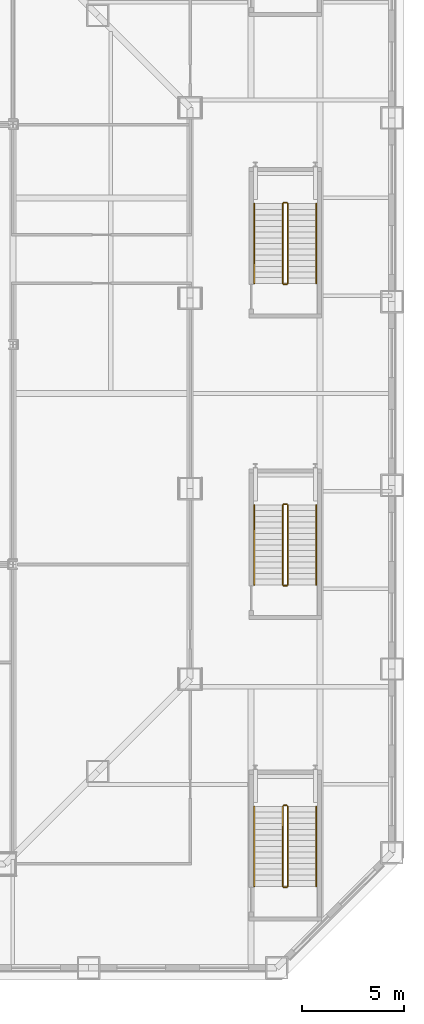
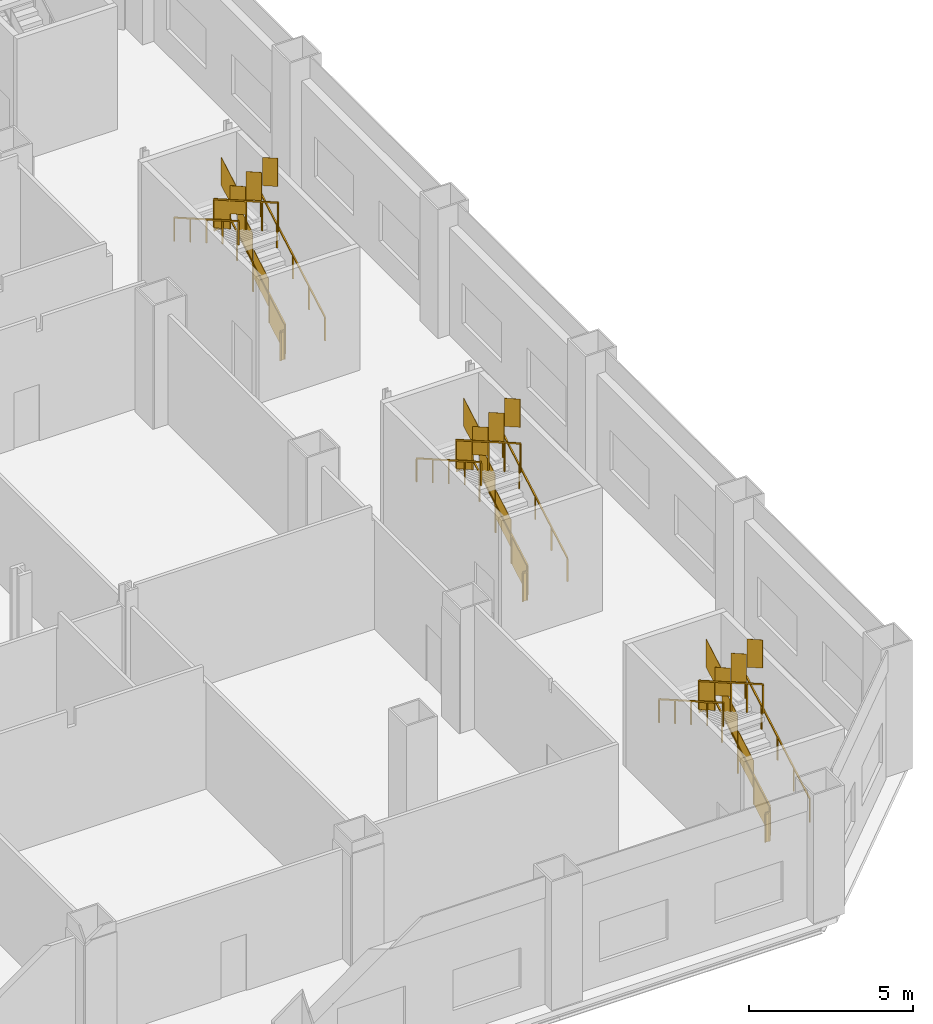
# One storey, part 24 of 25: 18 railings.
"""IFC4 building model written with IfcOpenShell, lengths in metres."""

from ifc_helpers import new_model, si_unit, direction, frame, origin, origin_2d, place, context, subcontext, project, spatial, polyline, rectangle, outline, extrude, material, type_object, element, save


model = new_model("IFC4")

# Units and contexts
model_context = context("Model", 3, precision=1e-05, world=origin(), true_north=direction((0.0, 1.0)))
body_context = subcontext(model_context, "Body", "Model", "MODEL_VIEW")
ifc_project = project(units=[si_unit("LENGTHUNIT", "METRE"), si_unit("AREAUNIT", "SQUARE_METRE"), si_unit("VOLUMEUNIT", "CUBIC_METRE"), si_unit("PLANEANGLEUNIT", "RADIAN"), si_unit("MASSUNIT", "GRAM", prefix="KILO")], contexts=[model_context])

# Site, building, storey
site_placement = place(None, origin())
site = spatial("IfcSite", under=ifc_project, at=site_placement, CompositionType="ELEMENT")
building_placement = place(site_placement, origin())
building = spatial("IfcBuilding", under=site, at=building_placement, Name="Cairn Pilgrim Tower", CompositionType="ELEMENT")
storey_placement = place(building_placement, frame((0.0, 0.0, 30.60009765625)))
storey = spatial("IfcBuildingStorey", under=building, at=storey_placement, Name="L05", CompositionType="ELEMENT", Elevation=30.60009765625)

# Railings
ifc_material = material(Name="Painted steel", Category="steel")
railing_type_1 = type_object("IfcRailingType", Name="PODIUM STAIR GUARD 1100", PredefinedType="GUARDRAIL", material=ifc_material)
railing_1_placement = place(storey_placement, frame((32.699951171875, -24.199951171875, 0.159912109375)))
element("IfcRailing", 1, at=railing_1_placement, inside=storey, type_object=railing_type_1, Name="L05 ST-ES1 stair guard 1", PredefinedType="GUARDRAIL", context=body_context, shape_type="SweptSolid", body=[
    extrude(rectangle(XDim=0.048095703125, YDim=0.048095703125, at=origin_2d()), frame((0.0, 0.0, 1.076171875), z_axis=(0.0, 0.868239814368, 0.496144761885), x_axis=(-1.0, 0.0, 0.0)), (0.0, 0.0, 1.0), 4.514892578125),
    extrude(rectangle(XDim=0.0419921875, YDim=0.0419921875, at=origin_2d()), origin(), (0.0, 0.0, 1.0), 1.052001953125),
    extrude(rectangle(XDim=0.0419921875, YDim=0.0419921875, at=origin_2d()), frame((0.0, 0.97998046875, 0.56005859375)), (0.0, 0.0, 1.0), 1.052001953125),
    extrude(rectangle(XDim=0.0419921875, YDim=0.0419921875, at=origin_2d()), frame((0.0, 1.9599609375, 1.1201171875)), (0.0, 0.0, 1.0), 1.052001953125),
    extrude(rectangle(XDim=0.0419921875, YDim=0.0419921875, at=origin_2d()), frame((0.0, 2.93994140625, 1.679931640625)), (0.0, 0.0, 1.0), 1.052001953125),
    extrude(rectangle(XDim=0.0419921875, YDim=0.0419921875, at=origin_2d()), frame((0.0, 3.919921875, 2.239990234375)), (0.0, 0.0, 1.0), 1.052001953125),
    extrude(outline(polyline([(0.02099609375, 0.011962890625), (0.958984375, 0.548095703125), (0.958984375, 1.60009765625), (0.02099609375, 1.06396484375), (0.02099609375, 0.011962890625)])), frame((-0.005859375, 0.0, 0.0), z_axis=(1.0, 0.0, 0.0), x_axis=(0.0, 1.0, 0.0)), (0.0, 0.0, 1.0), 0.011962890625),
    extrude(outline(polyline([(0.02099609375, 0.572021484375), (0.958984375, 1.10791015625), (0.958984375, 2.159912109375), (0.02099609375, 1.6240234375), (0.02099609375, 0.572021484375)])), frame((-0.005859375, 0.97998046875, 0.56005859375), z_axis=(1.0, 0.0, 0.0), x_axis=(0.0, 1.0, 0.0)), (0.0, 0.0, 1.0), 0.011962890625),
    extrude(outline(polyline([(0.02099609375, 1.132080078125), (0.958984375, 1.66796875), (0.958984375, 2.719970703125), (0.02099609375, 2.18408203125), (0.02099609375, 1.132080078125)])), frame((-0.005859375, 1.9599609375, 1.1201171875), z_axis=(1.0, 0.0, 0.0), x_axis=(0.0, 1.0, 0.0)), (0.0, 0.0, 1.0), 0.011962890625),
    extrude(outline(polyline([(0.02099609375, 1.69189453125), (0.958984375, 2.22802734375), (0.958984375, 3.280029296875), (0.02099609375, 2.743896484375), (0.02099609375, 1.69189453125)])), frame((-0.005859375, 2.93994140625, 1.679931640625), z_axis=(1.0, 0.0, 0.0), x_axis=(0.0, 1.0, 0.0)), (0.0, 0.0, 1.0), 0.011962890625),
])
railing_2_placement = place(storey_placement, frame((32.64990234375, -20.22998046875, 2.39990234375)))
element("IfcRailing", 2, at=railing_2_placement, inside=storey, type_object=railing_type_1, Name="L05 ST-ES1 stair guard 2", PredefinedType="GUARDRAIL", context=body_context, shape_type="SweptSolid", body=[
    extrude(rectangle(XDim=0.048095703125, YDim=0.048095703125, at=origin_2d()), frame((0.0, 0.0, 1.076171875), z_axis=(-1.0, 0.0, 0.0), x_axis=(0.0, -1.0, 0.0)), (0.0, 0.0, 1.0), 0.14990234375),
    extrude(rectangle(XDim=0.0419921875, YDim=0.0419921875, at=origin_2d()), origin(), (0.0, 0.0, 1.0), 1.052001953125),
    extrude(rectangle(XDim=0.0419921875, YDim=0.0419921875, at=origin_2d()), frame((-0.14990234375, 0.0, 0.0)), (0.0, 0.0, 1.0), 1.052001953125),
    extrude(outline(polyline([(0.02099609375, 0.0), (0.12890625, 0.0), (0.12890625, 1.052001953125), (0.02099609375, 1.052001953125), (0.02099609375, 0.0)])), frame((0.0, -0.005859375, 0.0), z_axis=(0.0, 1.0, 0.0), x_axis=(-1.0, 0.0, 0.0)), (0.0, 0.0, 1.0), 0.011962890625),
])
railing_3_placement = place(storey_placement, frame((32.449951171875, -20.280029296875, 2.559814453125)))
element("IfcRailing", 3, at=railing_3_placement, inside=storey, type_object=railing_type_1, Name="L05 ST-ES1 stair guard 3", PredefinedType="GUARDRAIL", context=body_context, shape_type="SweptSolid", body=[
    extrude(rectangle(XDim=0.048095703125, YDim=0.048095703125, at=origin_2d()), frame((0.0, 0.0, 1.076171875), z_axis=(0.0, -0.868239814368, 0.496144761885), x_axis=(1.0, 0.0, 0.0)), (0.0, 0.0, 1.0), 4.514892578125),
    extrude(rectangle(XDim=0.0419921875, YDim=0.0419921875, at=origin_2d()), origin(), (0.0, 0.0, 1.0), 1.052001953125),
    extrude(rectangle(XDim=0.0419921875, YDim=0.0419921875, at=origin_2d()), frame((0.0, -0.97998046875, 0.56005859375)), (0.0, 0.0, 1.0), 1.052001953125),
    extrude(rectangle(XDim=0.0419921875, YDim=0.0419921875, at=origin_2d()), frame((0.0, -1.9599609375, 1.1201171875)), (0.0, 0.0, 1.0), 1.052001953125),
    extrude(rectangle(XDim=0.0419921875, YDim=0.0419921875, at=origin_2d()), frame((0.0, -2.93994140625, 1.679931640625)), (0.0, 0.0, 1.0), 1.052001953125),
    extrude(rectangle(XDim=0.0419921875, YDim=0.0419921875, at=origin_2d()), frame((0.0, -3.919921875, 2.239990234375)), (0.0, 0.0, 1.0), 1.052001953125),
    extrude(outline(polyline([(0.02099609375, 0.011962890625), (0.958984375, 0.548095703125), (0.958984375, 1.60009765625), (0.02099609375, 1.06396484375), (0.02099609375, 0.011962890625)])), frame((0.005859375, 0.0, 0.0), z_axis=(-1.0, 0.0, 0.0), x_axis=(0.0, -1.0, 0.0)), (0.0, 0.0, 1.0), 0.011962890625),
    extrude(outline(polyline([(0.02099609375, 0.572021484375), (0.958984375, 1.10791015625), (0.958984375, 2.159912109375), (0.02099609375, 1.6240234375), (0.02099609375, 0.572021484375)])), frame((0.005859375, -0.97998046875, 0.56005859375), z_axis=(-1.0, 0.0, 0.0), x_axis=(0.0, -1.0, 0.0)), (0.0, 0.0, 1.0), 0.011962890625),
    extrude(outline(polyline([(0.02099609375, 1.132080078125), (0.958984375, 1.66796875), (0.958984375, 2.719970703125), (0.02099609375, 2.18408203125), (0.02099609375, 1.132080078125)])), frame((0.005859375, -1.9599609375, 1.1201171875), z_axis=(-1.0, 0.0, 0.0), x_axis=(0.0, -1.0, 0.0)), (0.0, 0.0, 1.0), 0.011962890625),
    extrude(outline(polyline([(0.02099609375, 1.69189453125), (0.958984375, 2.22802734375), (0.958984375, 3.280029296875), (0.02099609375, 2.743896484375), (0.02099609375, 1.69189453125)])), frame((0.005859375, -2.93994140625, 1.679931640625), z_axis=(-1.0, 0.0, 0.0), x_axis=(0.0, -1.0, 0.0)), (0.0, 0.0, 1.0), 0.011962890625),
])
railing_4_placement = place(storey_placement, frame((32.64990234375, -24.25, 0.0)))
element("IfcRailing", 4, at=railing_4_placement, inside=storey, type_object=railing_type_1, Name="L05 ST-ES1 stair guard 4", PredefinedType="GUARDRAIL", context=body_context, shape_type="SweptSolid", body=[
    extrude(rectangle(XDim=0.048095703125, YDim=0.048095703125, at=origin_2d()), frame((0.0, 0.0, 1.076171875), z_axis=(-1.0, 0.0, 0.0), x_axis=(0.0, -1.0, 0.0)), (0.0, 0.0, 1.0), 0.14990234375),
    extrude(rectangle(XDim=0.0419921875, YDim=0.0419921875, at=origin_2d()), origin(), (0.0, 0.0, 1.0), 1.052001953125),
    extrude(rectangle(XDim=0.0419921875, YDim=0.0419921875, at=origin_2d()), frame((-0.14990234375, 0.0, 0.0)), (0.0, 0.0, 1.0), 1.052001953125),
    extrude(outline(polyline([(0.02099609375, 0.0), (0.12890625, 0.0), (0.12890625, 1.052001953125), (0.02099609375, 1.052001953125), (0.02099609375, 0.0)])), frame((0.0, -0.005859375, 0.0), z_axis=(0.0, 1.0, 0.0), x_axis=(-1.0, 0.0, 0.0)), (0.0, 0.0, 1.0), 0.011962890625),
])
railing_5_placement = place(storey_placement, frame((32.699951171875, -9.39990234375, 0.159912109375)))
element("IfcRailing", 5, at=railing_5_placement, inside=storey, type_object=railing_type_1, Name="L05 ST-ES2 stair guard 1", PredefinedType="GUARDRAIL", context=body_context, shape_type="SweptSolid", body=[
    extrude(rectangle(XDim=0.048095703125, YDim=0.048095703125, at=origin_2d()), frame((0.0, 0.0, 1.076171875), z_axis=(0.0, 0.868239814368, 0.496144761885), x_axis=(-1.0, 0.0, 0.0)), (0.0, 0.0, 1.0), 4.514892578125),
    extrude(rectangle(XDim=0.0419921875, YDim=0.0419921875, at=origin_2d()), origin(), (0.0, 0.0, 1.0), 1.052001953125),
    extrude(rectangle(XDim=0.0419921875, YDim=0.0419921875, at=origin_2d()), frame((0.0, 0.97998046875, 0.56005859375)), (0.0, 0.0, 1.0), 1.052001953125),
    extrude(rectangle(XDim=0.0419921875, YDim=0.0419921875, at=origin_2d()), frame((0.0, 1.9599609375, 1.1201171875)), (0.0, 0.0, 1.0), 1.052001953125),
    extrude(rectangle(XDim=0.0419921875, YDim=0.0419921875, at=origin_2d()), frame((0.0, 2.93994140625, 1.679931640625)), (0.0, 0.0, 1.0), 1.052001953125),
    extrude(rectangle(XDim=0.0419921875, YDim=0.0419921875, at=origin_2d()), frame((0.0, 3.919921875, 2.239990234375)), (0.0, 0.0, 1.0), 1.052001953125),
    extrude(outline(polyline([(0.02099609375, 0.011962890625), (0.958984375, 0.548095703125), (0.958984375, 1.60009765625), (0.02099609375, 1.06396484375), (0.02099609375, 0.011962890625)])), frame((-0.005859375, 0.0, 0.0), z_axis=(1.0, 0.0, 0.0), x_axis=(0.0, 1.0, 0.0)), (0.0, 0.0, 1.0), 0.011962890625),
    extrude(outline(polyline([(0.02099609375, 0.572021484375), (0.958984375, 1.10791015625), (0.958984375, 2.159912109375), (0.02099609375, 1.6240234375), (0.02099609375, 0.572021484375)])), frame((-0.005859375, 0.97998046875, 0.56005859375), z_axis=(1.0, 0.0, 0.0), x_axis=(0.0, 1.0, 0.0)), (0.0, 0.0, 1.0), 0.011962890625),
    extrude(outline(polyline([(0.02099609375, 1.132080078125), (0.958984375, 1.66796875), (0.958984375, 2.719970703125), (0.02099609375, 2.18408203125), (0.02099609375, 1.132080078125)])), frame((-0.005859375, 1.9599609375, 1.1201171875), z_axis=(1.0, 0.0, 0.0), x_axis=(0.0, 1.0, 0.0)), (0.0, 0.0, 1.0), 0.011962890625),
    extrude(outline(polyline([(0.02099609375, 1.69189453125), (0.958984375, 2.22802734375), (0.958984375, 3.280029296875), (0.02099609375, 2.743896484375), (0.02099609375, 1.69189453125)])), frame((-0.005859375, 2.93994140625, 1.679931640625), z_axis=(1.0, 0.0, 0.0), x_axis=(0.0, 1.0, 0.0)), (0.0, 0.0, 1.0), 0.011962890625),
])
railing_6_placement = place(storey_placement, frame((32.64990234375, -5.429931640625, 2.39990234375)))
element("IfcRailing", 6, at=railing_6_placement, inside=storey, type_object=railing_type_1, Name="L05 ST-ES2 stair guard 2", PredefinedType="GUARDRAIL", context=body_context, shape_type="SweptSolid", body=[
    extrude(rectangle(XDim=0.048095703125, YDim=0.048095703125, at=origin_2d()), frame((0.0, 0.0, 1.076171875), z_axis=(-1.0, 0.0, 0.0), x_axis=(0.0, -1.0, 0.0)), (0.0, 0.0, 1.0), 0.14990234375),
    extrude(rectangle(XDim=0.0419921875, YDim=0.0419921875, at=origin_2d()), origin(), (0.0, 0.0, 1.0), 1.052001953125),
    extrude(rectangle(XDim=0.0419921875, YDim=0.0419921875, at=origin_2d()), frame((-0.14990234375, 0.0, 0.0)), (0.0, 0.0, 1.0), 1.052001953125),
    extrude(outline(polyline([(0.02099609375, 0.0), (0.12890625, 0.0), (0.12890625, 1.052001953125), (0.02099609375, 1.052001953125), (0.02099609375, 0.0)])), frame((0.0, -0.005859375, 0.0), z_axis=(0.0, 1.0, 0.0), x_axis=(-1.0, 0.0, 0.0)), (0.0, 0.0, 1.0), 0.011962890625),
])
railing_7_placement = place(storey_placement, frame((32.449951171875, -5.47998046875, 2.559814453125)))
element("IfcRailing", 7, at=railing_7_placement, inside=storey, type_object=railing_type_1, Name="L05 ST-ES2 stair guard 3", PredefinedType="GUARDRAIL", context=body_context, shape_type="SweptSolid", body=[
    extrude(rectangle(XDim=0.048095703125, YDim=0.048095703125, at=origin_2d()), frame((0.0, 0.0, 1.076171875), z_axis=(0.0, -0.868239814368, 0.496144761885), x_axis=(1.0, 0.0, 0.0)), (0.0, 0.0, 1.0), 4.514892578125),
    extrude(rectangle(XDim=0.0419921875, YDim=0.0419921875, at=origin_2d()), origin(), (0.0, 0.0, 1.0), 1.052001953125),
    extrude(rectangle(XDim=0.0419921875, YDim=0.0419921875, at=origin_2d()), frame((0.0, -0.97998046875, 0.56005859375)), (0.0, 0.0, 1.0), 1.052001953125),
    extrude(rectangle(XDim=0.0419921875, YDim=0.0419921875, at=origin_2d()), frame((0.0, -1.9599609375, 1.1201171875)), (0.0, 0.0, 1.0), 1.052001953125),
    extrude(rectangle(XDim=0.0419921875, YDim=0.0419921875, at=origin_2d()), frame((0.0, -2.93994140625, 1.679931640625)), (0.0, 0.0, 1.0), 1.052001953125),
    extrude(rectangle(XDim=0.0419921875, YDim=0.0419921875, at=origin_2d()), frame((0.0, -3.919921875, 2.239990234375)), (0.0, 0.0, 1.0), 1.052001953125),
    extrude(outline(polyline([(0.02099609375, 0.011962890625), (0.958984375, 0.548095703125), (0.958984375, 1.60009765625), (0.02099609375, 1.06396484375), (0.02099609375, 0.011962890625)])), frame((0.005859375, 0.0, 0.0), z_axis=(-1.0, 0.0, 0.0), x_axis=(0.0, -1.0, 0.0)), (0.0, 0.0, 1.0), 0.011962890625),
    extrude(outline(polyline([(0.02099609375, 0.572021484375), (0.958984375, 1.10791015625), (0.958984375, 2.159912109375), (0.02099609375, 1.6240234375), (0.02099609375, 0.572021484375)])), frame((0.005859375, -0.97998046875, 0.56005859375), z_axis=(-1.0, 0.0, 0.0), x_axis=(0.0, -1.0, 0.0)), (0.0, 0.0, 1.0), 0.011962890625),
    extrude(outline(polyline([(0.02099609375, 1.132080078125), (0.958984375, 1.66796875), (0.958984375, 2.719970703125), (0.02099609375, 2.18408203125), (0.02099609375, 1.132080078125)])), frame((0.005859375, -1.9599609375, 1.1201171875), z_axis=(-1.0, 0.0, 0.0), x_axis=(0.0, -1.0, 0.0)), (0.0, 0.0, 1.0), 0.011962890625),
    extrude(outline(polyline([(0.02099609375, 1.69189453125), (0.958984375, 2.22802734375), (0.958984375, 3.280029296875), (0.02099609375, 2.743896484375), (0.02099609375, 1.69189453125)])), frame((0.005859375, -2.93994140625, 1.679931640625), z_axis=(-1.0, 0.0, 0.0), x_axis=(0.0, -1.0, 0.0)), (0.0, 0.0, 1.0), 0.011962890625),
])
railing_8_placement = place(storey_placement, frame((32.64990234375, -9.449951171875, 0.0)))
element("IfcRailing", 8, at=railing_8_placement, inside=storey, type_object=railing_type_1, Name="L05 ST-ES2 stair guard 4", PredefinedType="GUARDRAIL", context=body_context, shape_type="SweptSolid", body=[
    extrude(rectangle(XDim=0.048095703125, YDim=0.048095703125, at=origin_2d()), frame((0.0, 0.0, 1.076171875), z_axis=(-1.0, 0.0, 0.0), x_axis=(0.0, -1.0, 0.0)), (0.0, 0.0, 1.0), 0.14990234375),
    extrude(rectangle(XDim=0.0419921875, YDim=0.0419921875, at=origin_2d()), origin(), (0.0, 0.0, 1.0), 1.052001953125),
    extrude(rectangle(XDim=0.0419921875, YDim=0.0419921875, at=origin_2d()), frame((-0.14990234375, 0.0, 0.0)), (0.0, 0.0, 1.0), 1.052001953125),
    extrude(outline(polyline([(0.02099609375, 0.0), (0.12890625, 0.0), (0.12890625, 1.052001953125), (0.02099609375, 1.052001953125), (0.02099609375, 0.0)])), frame((0.0, -0.005859375, 0.0), z_axis=(0.0, 1.0, 0.0), x_axis=(-1.0, 0.0, 0.0)), (0.0, 0.0, 1.0), 0.011962890625),
])
railing_9_placement = place(storey_placement, frame((32.699951171875, 5.39990234375, 0.159912109375)))
element("IfcRailing", 9, at=railing_9_placement, inside=storey, type_object=railing_type_1, Name="L05 ST-ES3 stair guard 1", PredefinedType="GUARDRAIL", context=body_context, shape_type="SweptSolid", body=[
    extrude(rectangle(XDim=0.048095703125, YDim=0.048095703125, at=origin_2d()), frame((0.0, 0.0, 1.076171875), z_axis=(0.0, 0.86825312469, 0.496121468458), x_axis=(-1.0, 0.0, 0.0)), (0.0, 0.0, 1.0), 4.514892578125),
    extrude(rectangle(XDim=0.0419921875, YDim=0.0419921875, at=origin_2d()), origin(), (0.0, 0.0, 1.0), 1.052001953125),
    extrude(rectangle(XDim=0.0419921875, YDim=0.0419921875, at=origin_2d()), frame((0.0, 0.97998046875, 0.56005859375)), (0.0, 0.0, 1.0), 1.052001953125),
    extrude(rectangle(XDim=0.0419921875, YDim=0.0419921875, at=origin_2d()), frame((0.0, 1.9599609375, 1.1201171875)), (0.0, 0.0, 1.0), 1.052001953125),
    extrude(rectangle(XDim=0.0419921875, YDim=0.0419921875, at=origin_2d()), frame((0.0, 2.940185546875, 1.679931640625)), (0.0, 0.0, 1.0), 1.052001953125),
    extrude(rectangle(XDim=0.0419921875, YDim=0.0419921875, at=origin_2d()), frame((0.0, 3.920166015625, 2.239990234375)), (0.0, 0.0, 1.0), 1.052001953125),
    extrude(outline(polyline([(0.02099609375, 0.011962890625), (0.958984375, 0.548095703125), (0.958984375, 1.60009765625), (0.02099609375, 1.06396484375), (0.02099609375, 0.011962890625)])), frame((-0.005859375, 0.0, 0.0), z_axis=(1.0, 0.0, 0.0), x_axis=(0.0, 1.0, 0.0)), (0.0, 0.0, 1.0), 0.011962890625),
    extrude(outline(polyline([(0.02099609375, 0.572021484375), (0.958984375, 1.10791015625), (0.958984375, 2.159912109375), (0.02099609375, 1.6240234375), (0.02099609375, 0.572021484375)])), frame((-0.005859375, 0.97998046875, 0.56005859375), z_axis=(1.0, 0.0, 0.0), x_axis=(0.0, 1.0, 0.0)), (0.0, 0.0, 1.0), 0.011962890625),
    extrude(outline(polyline([(0.02099609375, 1.132080078125), (0.958984375, 1.66796875), (0.958984375, 2.719970703125), (0.02099609375, 2.18408203125), (0.02099609375, 1.132080078125)])), frame((-0.005859375, 1.9599609375, 1.1201171875), z_axis=(1.0, 0.0, 0.0), x_axis=(0.0, 1.0, 0.0)), (0.0, 0.0, 1.0), 0.011962890625),
    extrude(outline(polyline([(0.02099609375, 1.69189453125), (0.958984375, 2.22802734375), (0.958984375, 3.280029296875), (0.02099609375, 2.743896484375), (0.02099609375, 1.69189453125)])), frame((-0.005859375, 2.940185546875, 1.679931640625), z_axis=(1.0, 0.0, 0.0), x_axis=(0.0, 1.0, 0.0)), (0.0, 0.0, 1.0), 0.011962890625),
])
railing_10_placement = place(storey_placement, frame((32.64990234375, 9.3701171875, 2.39990234375)))
element("IfcRailing", 10, at=railing_10_placement, inside=storey, type_object=railing_type_1, Name="L05 ST-ES3 stair guard 2", PredefinedType="GUARDRAIL", context=body_context, shape_type="SweptSolid", body=[
    extrude(rectangle(XDim=0.048095703125, YDim=0.048095703125, at=origin_2d()), frame((0.0, 0.0, 1.076171875), z_axis=(-1.0, 0.0, 0.0), x_axis=(0.0, -1.0, 0.0)), (0.0, 0.0, 1.0), 0.14990234375),
    extrude(rectangle(XDim=0.0419921875, YDim=0.0419921875, at=origin_2d()), origin(), (0.0, 0.0, 1.0), 1.052001953125),
    extrude(rectangle(XDim=0.0419921875, YDim=0.0419921875, at=origin_2d()), frame((-0.14990234375, 0.0, 0.0)), (0.0, 0.0, 1.0), 1.052001953125),
    extrude(outline(polyline([(0.02099609375, 0.0), (0.12890625, 0.0), (0.12890625, 1.052001953125), (0.02099609375, 1.052001953125), (0.02099609375, 0.0)])), frame((0.0, -0.005859375, 0.0), z_axis=(0.0, 1.0, 0.0), x_axis=(-1.0, 0.0, 0.0)), (0.0, 0.0, 1.0), 0.011962890625),
])
railing_11_placement = place(storey_placement, frame((32.449951171875, 9.320068359375, 2.559814453125)))
element("IfcRailing", 11, at=railing_11_placement, inside=storey, type_object=railing_type_1, Name="L05 ST-ES3 stair guard 3", PredefinedType="GUARDRAIL", context=body_context, shape_type="SweptSolid", body=[
    extrude(rectangle(XDim=0.048095703125, YDim=0.048095703125, at=origin_2d()), frame((0.0, 0.0, 1.076171875), z_axis=(0.0, -0.86825312469, 0.496121468458), x_axis=(1.0, 0.0, 0.0)), (0.0, 0.0, 1.0), 4.514892578125),
    extrude(rectangle(XDim=0.0419921875, YDim=0.0419921875, at=origin_2d()), origin(), (0.0, 0.0, 1.0), 1.052001953125),
    extrude(rectangle(XDim=0.0419921875, YDim=0.0419921875, at=origin_2d()), frame((0.0, -0.97998046875, 0.56005859375)), (0.0, 0.0, 1.0), 1.052001953125),
    extrude(rectangle(XDim=0.0419921875, YDim=0.0419921875, at=origin_2d()), frame((0.0, -1.9599609375, 1.1201171875)), (0.0, 0.0, 1.0), 1.052001953125),
    extrude(rectangle(XDim=0.0419921875, YDim=0.0419921875, at=origin_2d()), frame((0.0, -2.940185546875, 1.679931640625)), (0.0, 0.0, 1.0), 1.052001953125),
    extrude(rectangle(XDim=0.0419921875, YDim=0.0419921875, at=origin_2d()), frame((0.0, -3.920166015625, 2.239990234375)), (0.0, 0.0, 1.0), 1.052001953125),
    extrude(outline(polyline([(0.02099609375, 0.011962890625), (0.958984375, 0.548095703125), (0.958984375, 1.60009765625), (0.02099609375, 1.06396484375), (0.02099609375, 0.011962890625)])), frame((0.005859375, 0.0, 0.0), z_axis=(-1.0, 0.0, 0.0), x_axis=(0.0, -1.0, 0.0)), (0.0, 0.0, 1.0), 0.011962890625),
    extrude(outline(polyline([(0.02099609375, 0.572021484375), (0.958984375, 1.10791015625), (0.958984375, 2.159912109375), (0.02099609375, 1.6240234375), (0.02099609375, 0.572021484375)])), frame((0.005859375, -0.97998046875, 0.56005859375), z_axis=(-1.0, 0.0, 0.0), x_axis=(0.0, -1.0, 0.0)), (0.0, 0.0, 1.0), 0.011962890625),
    extrude(outline(polyline([(0.02099609375, 1.132080078125), (0.958984375, 1.66796875), (0.958984375, 2.719970703125), (0.02099609375, 2.18408203125), (0.02099609375, 1.132080078125)])), frame((0.005859375, -1.9599609375, 1.1201171875), z_axis=(-1.0, 0.0, 0.0), x_axis=(0.0, -1.0, 0.0)), (0.0, 0.0, 1.0), 0.011962890625),
    extrude(outline(polyline([(0.02099609375, 1.69189453125), (0.958984375, 2.22802734375), (0.958984375, 3.280029296875), (0.02099609375, 2.743896484375), (0.02099609375, 1.69189453125)])), frame((0.005859375, -2.940185546875, 1.679931640625), z_axis=(-1.0, 0.0, 0.0), x_axis=(0.0, -1.0, 0.0)), (0.0, 0.0, 1.0), 0.011962890625),
])
railing_12_placement = place(storey_placement, frame((32.64990234375, 5.35009765625, 0.0)))
element("IfcRailing", 12, at=railing_12_placement, inside=storey, type_object=railing_type_1, Name="L05 ST-ES3 stair guard 4", PredefinedType="GUARDRAIL", context=body_context, shape_type="SweptSolid", body=[
    extrude(rectangle(XDim=0.048095703125, YDim=0.048095703125, at=origin_2d()), frame((0.0, 0.0, 1.076171875), z_axis=(-1.0, 0.0, 0.0), x_axis=(0.0, -1.0, 0.0)), (0.0, 0.0, 1.0), 0.14990234375),
    extrude(rectangle(XDim=0.0419921875, YDim=0.0419921875, at=origin_2d()), origin(), (0.0, 0.0, 1.0), 1.052001953125),
    extrude(rectangle(XDim=0.0419921875, YDim=0.0419921875, at=origin_2d()), frame((-0.14990234375, 0.0, 0.0)), (0.0, 0.0, 1.0), 1.052001953125),
    extrude(outline(polyline([(0.02099609375, 0.0), (0.12890625, 0.0), (0.12890625, 1.052001953125), (0.02099609375, 1.052001953125), (0.02099609375, 0.0)])), frame((0.0, -0.005859375, 0.0), z_axis=(0.0, 1.0, 0.0), x_axis=(-1.0, 0.0, 0.0)), (0.0, 0.0, 1.0), 0.011962890625),
])
railing_type_2 = type_object("IfcRailingType", Name="PODIUM STAIR HANDRAIL 900", PredefinedType="HANDRAIL", material=ifc_material)
railing_13_placement = place(storey_placement, frame((34.10009765625, -24.199951171875, 0.159912109375)))
element("IfcRailing", 13, at=railing_13_placement, inside=storey, type_object=railing_type_2, Name="L05 ST-ES1 stair handrail 1", PredefinedType="HANDRAIL", context=body_context, shape_type="SweptSolid", body=[
    extrude(rectangle(XDim=0.048095703125, YDim=0.048095703125, at=origin_2d()), frame((0.0, 0.0, 0.8759765625), z_axis=(0.0, 0.868239814368, 0.496144761885), x_axis=(-1.0, 0.0, 0.0)), (0.0, 0.0, 1.0), 4.514892578125),
    extrude(rectangle(XDim=0.0419921875, YDim=0.0419921875, at=origin_2d()), origin(), (0.0, 0.0, 1.0), 0.851806640625),
    extrude(rectangle(XDim=0.0419921875, YDim=0.0419921875, at=origin_2d()), frame((0.0, 0.97998046875, 0.56005859375)), (0.0, 0.0, 1.0), 0.851806640625),
    extrude(rectangle(XDim=0.0419921875, YDim=0.0419921875, at=origin_2d()), frame((0.0, 1.9599609375, 1.1201171875)), (0.0, 0.0, 1.0), 0.851806640625),
    extrude(rectangle(XDim=0.0419921875, YDim=0.0419921875, at=origin_2d()), frame((0.0, 2.93994140625, 1.679931640625)), (0.0, 0.0, 1.0), 0.851806640625),
    extrude(rectangle(XDim=0.0419921875, YDim=0.0419921875, at=origin_2d()), frame((0.0, 3.919921875, 2.239990234375)), (0.0, 0.0, 1.0), 0.851806640625),
])
railing_14_placement = place(storey_placement, frame((31.050048828125, -20.280029296875, 2.559814453125)))
element("IfcRailing", 14, at=railing_14_placement, inside=storey, type_object=railing_type_2, Name="L05 ST-ES1 stair handrail 2", PredefinedType="HANDRAIL", context=body_context, shape_type="SweptSolid", body=[
    extrude(rectangle(XDim=0.048095703125, YDim=0.048095703125, at=origin_2d()), frame((0.0, 0.0, 0.8759765625), z_axis=(0.0, -0.868239814368, 0.496144761885), x_axis=(1.0, 0.0, 0.0)), (0.0, 0.0, 1.0), 4.514892578125),
    extrude(rectangle(XDim=0.0419921875, YDim=0.0419921875, at=origin_2d()), origin(), (0.0, 0.0, 1.0), 0.851806640625),
    extrude(rectangle(XDim=0.0419921875, YDim=0.0419921875, at=origin_2d()), frame((0.0, -0.97998046875, 0.56005859375)), (0.0, 0.0, 1.0), 0.851806640625),
    extrude(rectangle(XDim=0.0419921875, YDim=0.0419921875, at=origin_2d()), frame((0.0, -1.9599609375, 1.1201171875)), (0.0, 0.0, 1.0), 0.851806640625),
    extrude(rectangle(XDim=0.0419921875, YDim=0.0419921875, at=origin_2d()), frame((0.0, -2.93994140625, 1.679931640625)), (0.0, 0.0, 1.0), 0.851806640625),
    extrude(rectangle(XDim=0.0419921875, YDim=0.0419921875, at=origin_2d()), frame((0.0, -3.919921875, 2.239990234375)), (0.0, 0.0, 1.0), 0.851806640625),
])
railing_15_placement = place(storey_placement, frame((34.10009765625, -9.39990234375, 0.159912109375)))
element("IfcRailing", 15, at=railing_15_placement, inside=storey, type_object=railing_type_2, Name="L05 ST-ES2 stair handrail 1", PredefinedType="HANDRAIL", context=body_context, shape_type="SweptSolid", body=[
    extrude(rectangle(XDim=0.048095703125, YDim=0.048095703125, at=origin_2d()), frame((0.0, 0.0, 0.8759765625), z_axis=(0.0, 0.868239814368, 0.496144761885), x_axis=(-1.0, 0.0, 0.0)), (0.0, 0.0, 1.0), 4.514892578125),
    extrude(rectangle(XDim=0.0419921875, YDim=0.0419921875, at=origin_2d()), origin(), (0.0, 0.0, 1.0), 0.851806640625),
    extrude(rectangle(XDim=0.0419921875, YDim=0.0419921875, at=origin_2d()), frame((0.0, 0.97998046875, 0.56005859375)), (0.0, 0.0, 1.0), 0.851806640625),
    extrude(rectangle(XDim=0.0419921875, YDim=0.0419921875, at=origin_2d()), frame((0.0, 1.9599609375, 1.1201171875)), (0.0, 0.0, 1.0), 0.851806640625),
    extrude(rectangle(XDim=0.0419921875, YDim=0.0419921875, at=origin_2d()), frame((0.0, 2.93994140625, 1.679931640625)), (0.0, 0.0, 1.0), 0.851806640625),
    extrude(rectangle(XDim=0.0419921875, YDim=0.0419921875, at=origin_2d()), frame((0.0, 3.919921875, 2.239990234375)), (0.0, 0.0, 1.0), 0.851806640625),
])
railing_16_placement = place(storey_placement, frame((31.050048828125, -5.47998046875, 2.559814453125)))
element("IfcRailing", 16, at=railing_16_placement, inside=storey, type_object=railing_type_2, Name="L05 ST-ES2 stair handrail 2", PredefinedType="HANDRAIL", context=body_context, shape_type="SweptSolid", body=[
    extrude(rectangle(XDim=0.048095703125, YDim=0.048095703125, at=origin_2d()), frame((0.0, 0.0, 0.8759765625), z_axis=(0.0, -0.868239814368, 0.496144761885), x_axis=(1.0, 0.0, 0.0)), (0.0, 0.0, 1.0), 4.514892578125),
    extrude(rectangle(XDim=0.0419921875, YDim=0.0419921875, at=origin_2d()), origin(), (0.0, 0.0, 1.0), 0.851806640625),
    extrude(rectangle(XDim=0.0419921875, YDim=0.0419921875, at=origin_2d()), frame((0.0, -0.97998046875, 0.56005859375)), (0.0, 0.0, 1.0), 0.851806640625),
    extrude(rectangle(XDim=0.0419921875, YDim=0.0419921875, at=origin_2d()), frame((0.0, -1.9599609375, 1.1201171875)), (0.0, 0.0, 1.0), 0.851806640625),
    extrude(rectangle(XDim=0.0419921875, YDim=0.0419921875, at=origin_2d()), frame((0.0, -2.93994140625, 1.679931640625)), (0.0, 0.0, 1.0), 0.851806640625),
    extrude(rectangle(XDim=0.0419921875, YDim=0.0419921875, at=origin_2d()), frame((0.0, -3.919921875, 2.239990234375)), (0.0, 0.0, 1.0), 0.851806640625),
])
railing_17_placement = place(storey_placement, frame((34.10009765625, 5.39990234375, 0.159912109375)))
element("IfcRailing", 17, at=railing_17_placement, inside=storey, type_object=railing_type_2, Name="L05 ST-ES3 stair handrail 1", PredefinedType="HANDRAIL", context=body_context, shape_type="SweptSolid", body=[
    extrude(rectangle(XDim=0.048095703125, YDim=0.048095703125, at=origin_2d()), frame((0.0, 0.0, 0.8759765625), z_axis=(0.0, 0.86825312469, 0.496121468458), x_axis=(-1.0, 0.0, 0.0)), (0.0, 0.0, 1.0), 4.514892578125),
    extrude(rectangle(XDim=0.0419921875, YDim=0.0419921875, at=origin_2d()), origin(), (0.0, 0.0, 1.0), 0.851806640625),
    extrude(rectangle(XDim=0.0419921875, YDim=0.0419921875, at=origin_2d()), frame((0.0, 0.97998046875, 0.56005859375)), (0.0, 0.0, 1.0), 0.851806640625),
    extrude(rectangle(XDim=0.0419921875, YDim=0.0419921875, at=origin_2d()), frame((0.0, 1.9599609375, 1.1201171875)), (0.0, 0.0, 1.0), 0.851806640625),
    extrude(rectangle(XDim=0.0419921875, YDim=0.0419921875, at=origin_2d()), frame((0.0, 2.940185546875, 1.679931640625)), (0.0, 0.0, 1.0), 0.851806640625),
    extrude(rectangle(XDim=0.0419921875, YDim=0.0419921875, at=origin_2d()), frame((0.0, 3.920166015625, 2.239990234375)), (0.0, 0.0, 1.0), 0.851806640625),
])
railing_18_placement = place(storey_placement, frame((31.050048828125, 9.320068359375, 2.559814453125)))
element("IfcRailing", 18, at=railing_18_placement, inside=storey, type_object=railing_type_2, Name="L05 ST-ES3 stair handrail 2", PredefinedType="HANDRAIL", context=body_context, shape_type="SweptSolid", body=[
    extrude(rectangle(XDim=0.048095703125, YDim=0.048095703125, at=origin_2d()), frame((0.0, 0.0, 0.8759765625), z_axis=(0.0, -0.86825312469, 0.496121468458), x_axis=(1.0, 0.0, 0.0)), (0.0, 0.0, 1.0), 4.514892578125),
    extrude(rectangle(XDim=0.0419921875, YDim=0.0419921875, at=origin_2d()), origin(), (0.0, 0.0, 1.0), 0.851806640625),
    extrude(rectangle(XDim=0.0419921875, YDim=0.0419921875, at=origin_2d()), frame((0.0, -0.97998046875, 0.56005859375)), (0.0, 0.0, 1.0), 0.851806640625),
    extrude(rectangle(XDim=0.0419921875, YDim=0.0419921875, at=origin_2d()), frame((0.0, -1.9599609375, 1.1201171875)), (0.0, 0.0, 1.0), 0.851806640625),
    extrude(rectangle(XDim=0.0419921875, YDim=0.0419921875, at=origin_2d()), frame((0.0, -2.940185546875, 1.679931640625)), (0.0, 0.0, 1.0), 0.851806640625),
    extrude(rectangle(XDim=0.0419921875, YDim=0.0419921875, at=origin_2d()), frame((0.0, -3.920166015625, 2.239990234375)), (0.0, 0.0, 1.0), 0.851806640625),
])

save(model, "model.ifc")
